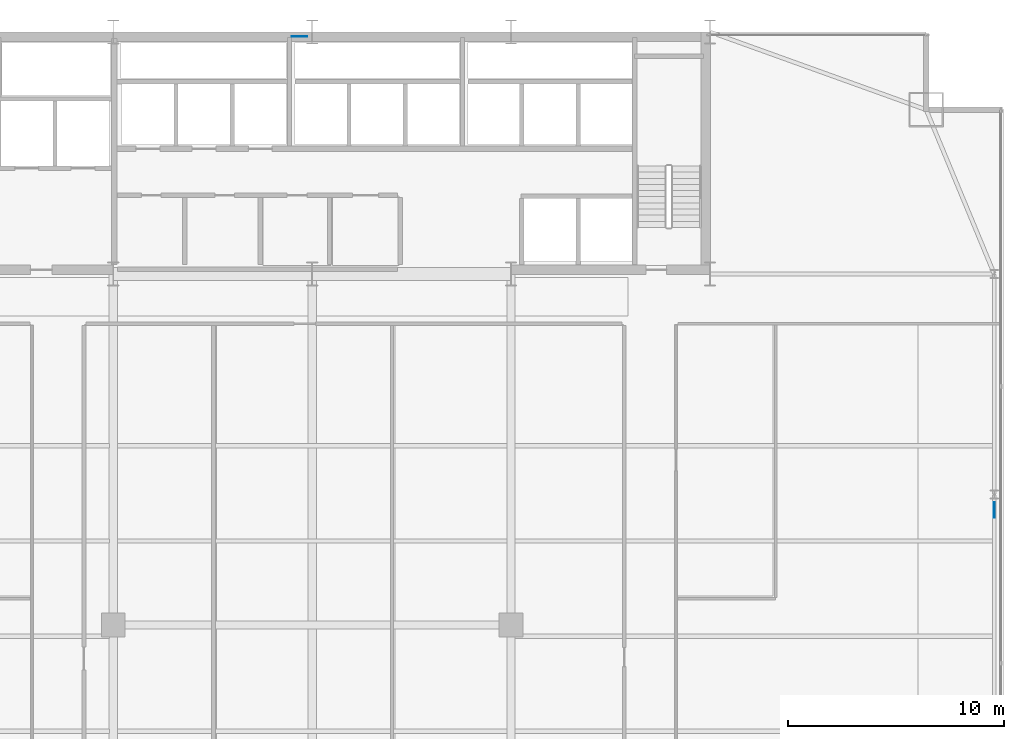
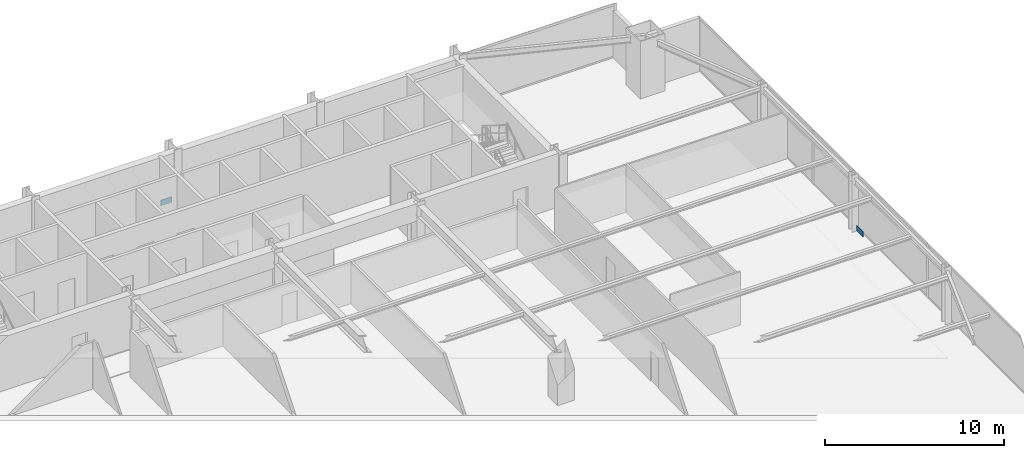
# One storey, part 26 of 31: 2 plates.
"""IFC4 building model written with IfcOpenShell, lengths in metres."""

from ifc_helpers import new_model, si_unit, direction, frame, origin, origin_2d, place, context, subcontext, project, spatial, rectangle, extrude, source, transform, mapped, material, layer, layer_set, type_object, type_shapes, element, save


model = new_model("IFC4")

# Units and contexts
model_context = context("Model", 3, precision=1e-05, world=origin(), true_north=direction((0.0, 1.0)))
body_context = subcontext(model_context, "Body", "Model", "MODEL_VIEW")
ifc_project = project(units=[si_unit("LENGTHUNIT", "METRE"), si_unit("AREAUNIT", "SQUARE_METRE"), si_unit("VOLUMEUNIT", "CUBIC_METRE"), si_unit("PLANEANGLEUNIT", "RADIAN"), si_unit("MASSUNIT", "GRAM", prefix="KILO")], contexts=[model_context])

# Site, building, storey
site_placement = place(None, origin())
site = spatial("IfcSite", under=ifc_project, at=site_placement, CompositionType="ELEMENT")
building_placement = place(site_placement, origin())
building = spatial("IfcBuilding", under=site, at=building_placement, Name="Varnel Quay Broadcast Tower", CompositionType="ELEMENT")
storey_placement = place(building_placement, frame((0.0, 0.0, 35.39990234375)))
storey = spatial("IfcBuildingStorey", under=building, at=storey_placement, Name="L07", CompositionType="ELEMENT", Elevation=35.39990234375)

# Plates
ifc_material = material(Name="Structural Steel CSA G40.21 350WT", Category="steel")
ifc_layer = layer(ifc_material, 0.031982421875, Name="Structural Steel CSA G40.21 350WT")
ifc_layer_set = layer_set([ifc_layer], Name="Structural Steel CSA G40.21 350WT")
plate_type = type_object("IfcPlateType", Name="Plate_EndCap", PredefinedType="USERDEFINED", material=ifc_layer_set)
shared_shape = source(origin(), body_context, "Body", "SweptSolid", [
    extrude(rectangle(XDim=0.719970703125, YDim=0.031982421875, at=origin_2d()), origin(), (0.0, 0.0, 1.0), 0.3798828125),
])
type_shapes(plate_type, [shared_shape])
for number, where, z_axis, x_axis, name in (
    (1, (33.4150390625, 46.580078125, 0.171875), (0.0, 0.0, 1.0), (1.0, 0.0, 0.0), "Zone 1 Mega-Brace N-CT1 Diag B2 End Connection Plate P0"),
    (2, (65.550048828125, 24.681640625, 0.144775390625), (0.0, 0.0, 1.0), (0.0, 1.0, 0.0), "Zone 1 Mega-Brace E-FT1 Diag B2 End Connection Plate P0"),
):
    element("IfcPlate", number, at=place(storey_placement, frame(where, z_axis=z_axis, x_axis=x_axis)), inside=storey, type_object=plate_type, Name=name, ObjectType="CAP_PLATE", PredefinedType="USERDEFINED", context=body_context, shape_type="MappedRepresentation", body=[
        mapped(shared_shape, transform((0.0, 0.0, 0.0), x_axis=(1.0, 0.0, 0.0), y_axis=(0.0, 1.0, 0.0), z_axis=(0.0, 0.0, 1.0), scale=1.0)),
    ])

save(model, "model.ifc")
